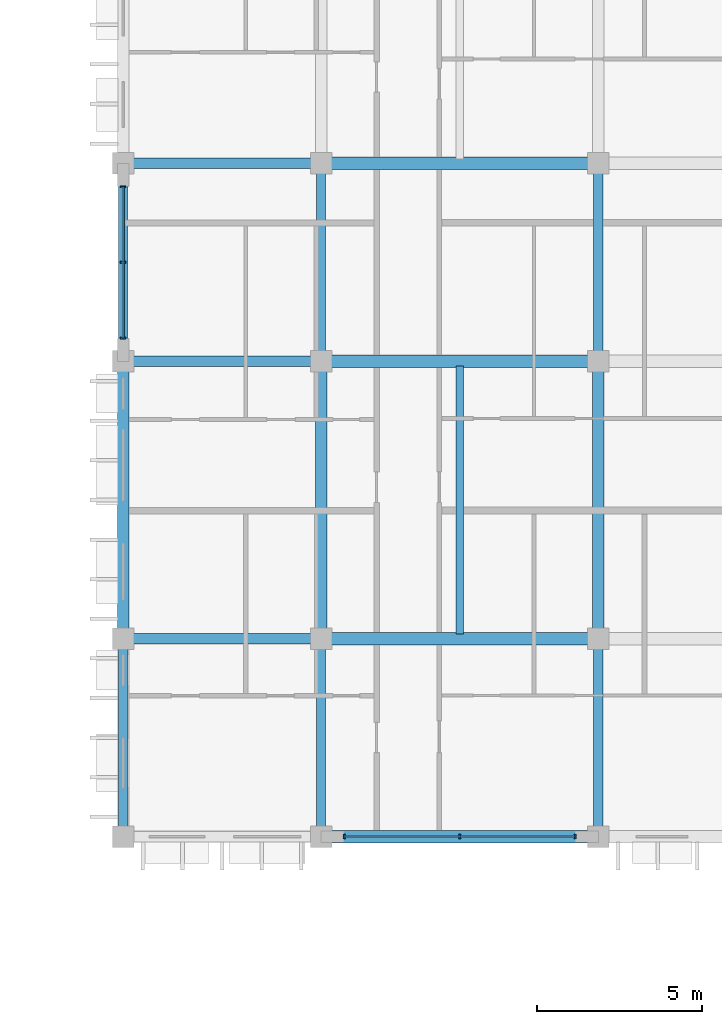
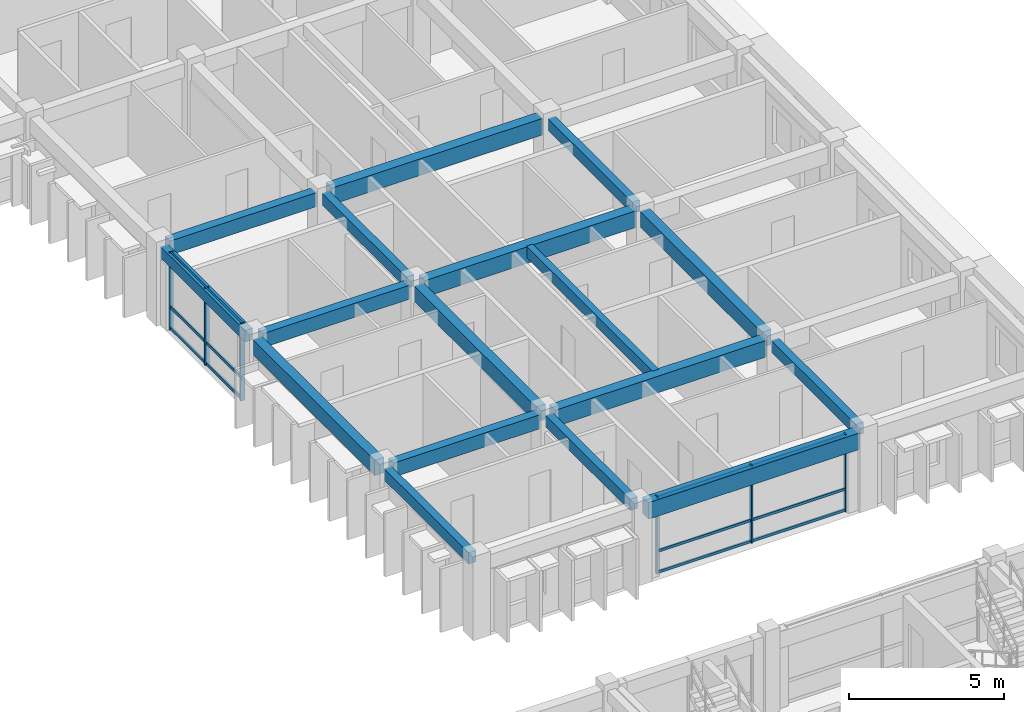
# One storey, part 18 of 79: 17 beams, 12 members, 2 elements without a shape of their own.
"""IFC4 building model written with IfcOpenShell, lengths in metres."""

from ifc_helpers import new_model, si_unit, direction, frame, origin, origin_2d, place, context, subcontext, project, spatial, rectangle, extrude, material, material_profile, profile_set, type_object, element, aggregate, save


model = new_model("IFC4")

# Units and contexts
model_context = context("Model", 3, precision=1e-05, world=origin(), true_north=direction((0.0, 1.0)))
body_context = subcontext(model_context, "Body", "Model", "MODEL_VIEW")
ifc_project = project(units=[si_unit("LENGTHUNIT", "METRE"), si_unit("AREAUNIT", "SQUARE_METRE"), si_unit("VOLUMEUNIT", "CUBIC_METRE"), si_unit("PLANEANGLEUNIT", "RADIAN"), si_unit("MASSUNIT", "GRAM", prefix="KILO"), si_unit("THERMODYNAMICTEMPERATUREUNIT", "KELVIN")], contexts=[model_context])

# Site, building, storey
site_placement = place(None, origin())
site = spatial("IfcSite", under=ifc_project, at=site_placement, CompositionType="ELEMENT")
building_placement = place(site_placement, origin())
building = spatial("IfcBuilding", under=site, at=building_placement, Name="Thalorik Housing Commons", CompositionType="ELEMENT")
storey_placement = place(building_placement, frame((0.0, 0.0, 11.39990234375)))
storey = spatial("IfcBuildingStorey", under=building, at=storey_placement, Name="L03", CompositionType="ELEMENT", Elevation=11.39990234375)

# Curtain wall, members
ifc_material_1 = material(Name="Anodised aluminium and solar-control low-E glass", Category="aluminium")
curtain_wall_type = type_object("IfcCurtainWallType", Name="ARC-CW-LOUNGE", PredefinedType="USERDEFINED", material=ifc_material_1)
curtain_wall_1_placement = place(storey_placement, origin())
curtain_wall_1 = element("IfcCurtainWall", 1, at=curtain_wall_1_placement, inside=storey, type_object=curtain_wall_type, Name="L03 Curtain Wall CW-RES-L03-B-087", ObjectType="CURTAIN WALL", PredefinedType="USERDEFINED")
ifc_material_2 = material(Name="Anodised aluminium 6063-T6", Category="aluminium")
ifc_material_profile_1 = material_profile(ifc_material_2, rectangle(XDim=0.054931640625, YDim=0.139892578125, at=origin_2d()), Name="ALU MUL 55x140", Category="aluminium")
ifc_profile_set_1 = profile_set([ifc_material_profile_1], Name="Anodised aluminium 6063-T6")
member_type_1 = type_object("IfcMemberType", Name="ARC-CW-MUL-55x140", PredefinedType="MULLION", material=ifc_profile_set_1)
member_1_placement = place(storey_placement, frame((159.10009765625, 80.39990234375, 0.0), z_axis=(0.0, 0.0, 1.0), x_axis=(1.0, 0.0, 0.0)))
member_1 = element("IfcMember", 2, at=member_1_placement, type_object=member_type_1, Name="CW-RES-L03-B-087 Mullion 1", PredefinedType="MULLION", context=body_context, shape_type="SweptSolid", body=[
    extrude(rectangle(XDim=0.054931640625, YDim=0.139892578125, at=origin_2d()), origin(), (0.0, 0.0, 1.0), 3.0400390625),
])
member_2_placement = place(storey_placement, frame((162.60009765625, 80.39990234375, 0.0), z_axis=(0.0, 0.0, 1.0), x_axis=(1.0, 0.0, 0.0)))
member_2 = element("IfcMember", 3, at=member_2_placement, type_object=member_type_1, Name="CW-RES-L03-B-087 Mullion 2", PredefinedType="MULLION", context=body_context, shape_type="SweptSolid", body=[
    extrude(rectangle(XDim=0.054931640625, YDim=0.139892578125, at=origin_2d()), origin(), (0.0, 0.0, 1.0), 3.0400390625),
])
member_3_placement = place(storey_placement, frame((166.10009765625, 80.39990234375, 0.0), z_axis=(0.0, 0.0, 1.0), x_axis=(1.0, 0.0, 0.0)))
member_3 = element("IfcMember", 4, at=member_3_placement, type_object=member_type_1, Name="CW-RES-L03-B-087 Mullion 3", PredefinedType="MULLION", context=body_context, shape_type="SweptSolid", body=[
    extrude(rectangle(XDim=0.054931640625, YDim=0.139892578125, at=origin_2d()), origin(), (0.0, 0.0, 1.0), 3.0400390625),
])

curtain_wall_2_placement = place(storey_placement, origin())
curtain_wall_2 = element("IfcCurtainWall", 5, at=curtain_wall_2_placement, inside=storey, type_object=curtain_wall_type, Name="L03 Curtain Wall CW-RES-L03-B-086", ObjectType="CURTAIN WALL", PredefinedType="USERDEFINED")
ifc_material_profile_2 = material_profile(ifc_material_2, rectangle(XDim=0.06005859375, YDim=0.159912109375, at=origin_2d()), Name="ALU MUL 60x160", Category="aluminium")
ifc_profile_set_2 = profile_set([ifc_material_profile_2], Name="Anodised aluminium 6063-T6")
member_type_2 = type_object("IfcMemberType", Name="ARC-CW-MUL-60x160", PredefinedType="MULLION", material=ifc_profile_set_2)
member_4_placement = place(storey_placement, frame((152.39990234375, 100.10009765625, 0.0), z_axis=(0.0, 0.0, 1.0), x_axis=(0.0, -1.0, 0.0)))
member_4 = element("IfcMember", 6, at=member_4_placement, type_object=member_type_2, Name="CW-RES-L03-B-086 Mullion 1", PredefinedType="MULLION", context=body_context, shape_type="SweptSolid", body=[
    extrude(rectangle(XDim=0.06005859375, YDim=0.159912109375, at=origin_2d()), origin(), (0.0, 0.0, 1.0), 3.0400390625),
])
member_5_placement = place(storey_placement, frame((152.39990234375, 97.800048828125, 0.0), z_axis=(0.0, 0.0, 1.0), x_axis=(0.0, -1.0, 0.0)))
member_5 = element("IfcMember", 7, at=member_5_placement, type_object=member_type_2, Name="CW-RES-L03-B-086 Mullion 2", PredefinedType="MULLION", context=body_context, shape_type="SweptSolid", body=[
    extrude(rectangle(XDim=0.06005859375, YDim=0.159912109375, at=origin_2d()), origin(), (0.0, 0.0, 1.0), 3.0400390625),
])
member_6_placement = place(storey_placement, frame((152.39990234375, 95.5, 0.0), z_axis=(0.0, 0.0, 1.0), x_axis=(0.0, -1.0, 0.0)))
member_6 = element("IfcMember", 8, at=member_6_placement, type_object=member_type_2, Name="CW-RES-L03-B-086 Mullion 3", PredefinedType="MULLION", context=body_context, shape_type="SweptSolid", body=[
    extrude(rectangle(XDim=0.06005859375, YDim=0.159912109375, at=origin_2d()), origin(), (0.0, 0.0, 1.0), 3.0400390625),
])

# Member
ifc_material_profile_3 = material_profile(ifc_material_2, rectangle(XDim=0.054931640625, YDim=0.10498046875, at=origin_2d()), Name="ALU TRN 55x105", Category="aluminium")
ifc_profile_set_3 = profile_set([ifc_material_profile_3], Name="Anodised aluminium 6063-T6")
member_type_3 = type_object("IfcMemberType", Name="ARC-CW-TRN-55x105", PredefinedType="USERDEFINED", material=ifc_profile_set_3)
member_7_placement = place(storey_placement, frame((159.10009765625, 80.39990234375, 0.05517578125), z_axis=(1.0, 0.0, 0.0), x_axis=(0.0, 1.0, 0.0)))
member_7 = element("IfcMember", 9, at=member_7_placement, type_object=member_type_3, Name="CW-RES-L03-B-087 Transom 1", ObjectType="TRANSOM", PredefinedType="USERDEFINED", context=body_context, shape_type="SweptSolid", body=[
    extrude(rectangle(XDim=0.054931640625, YDim=0.10498046875, at=origin_2d()), origin(), (0.0, 0.0, 1.0), 7.0),
])

member_8_placement = place(storey_placement, frame((159.10009765625, 80.39990234375, 0.880126953125), z_axis=(1.0, 0.0, 0.0), x_axis=(0.0, 1.0, 0.0)))
member_8 = element("IfcMember", 10, at=member_8_placement, type_object=member_type_3, Name="CW-RES-L03-B-087 Transom 2", ObjectType="TRANSOM", PredefinedType="USERDEFINED", context=body_context, shape_type="SweptSolid", body=[
    extrude(rectangle(XDim=0.054931640625, YDim=0.10498046875, at=origin_2d()), origin(), (0.0, 0.0, 1.0), 7.0),
])

member_9_placement = place(storey_placement, frame((159.10009765625, 80.39990234375, 2.985107421875), z_axis=(1.0, 0.0, 0.0), x_axis=(0.0, 1.0, 0.0)))
member_9 = element("IfcMember", 11, at=member_9_placement, type_object=member_type_3, Name="CW-RES-L03-B-087 Transom 3", ObjectType="TRANSOM", PredefinedType="USERDEFINED", context=body_context, shape_type="SweptSolid", body=[
    extrude(rectangle(XDim=0.054931640625, YDim=0.10498046875, at=origin_2d()), origin(), (0.0, 0.0, 1.0), 7.0),
])

aggregate(curtain_wall_1, [member_1, member_2, member_3, member_7, member_8, member_9])

ifc_material_profile_4 = material_profile(ifc_material_2, rectangle(XDim=0.06005859375, YDim=0.1201171875, at=origin_2d()), Name="ALU TRN 60x120", Category="aluminium")
ifc_profile_set_4 = profile_set([ifc_material_profile_4], Name="Anodised aluminium 6063-T6")
member_type_4 = type_object("IfcMemberType", Name="ARC-CW-TRN-60x120", PredefinedType="USERDEFINED", material=ifc_profile_set_4)
member_10_placement = place(storey_placement, frame((152.39990234375, 100.10009765625, 0.05517578125), z_axis=(0.0, -1.0, 0.0), x_axis=(1.0, 0.0, 0.0)))
member_10 = element("IfcMember", 12, at=member_10_placement, type_object=member_type_4, Name="CW-RES-L03-B-086 Transom 1", ObjectType="TRANSOM", PredefinedType="USERDEFINED", context=body_context, shape_type="SweptSolid", body=[
    extrude(rectangle(XDim=0.06005859375, YDim=0.1201171875, at=origin_2d()), origin(), (0.0, 0.0, 1.0), 4.60009765625),
])

member_11_placement = place(storey_placement, frame((152.39990234375, 100.10009765625, 0.880126953125), z_axis=(0.0, -1.0, 0.0), x_axis=(1.0, 0.0, 0.0)))
member_11 = element("IfcMember", 13, at=member_11_placement, type_object=member_type_4, Name="CW-RES-L03-B-086 Transom 2", ObjectType="TRANSOM", PredefinedType="USERDEFINED", context=body_context, shape_type="SweptSolid", body=[
    extrude(rectangle(XDim=0.06005859375, YDim=0.1201171875, at=origin_2d()), origin(), (0.0, 0.0, 1.0), 4.60009765625),
])

member_12_placement = place(storey_placement, frame((152.39990234375, 100.10009765625, 2.985107421875), z_axis=(0.0, -1.0, 0.0), x_axis=(1.0, 0.0, 0.0)))
member_12 = element("IfcMember", 14, at=member_12_placement, type_object=member_type_4, Name="CW-RES-L03-B-086 Transom 3", ObjectType="TRANSOM", PredefinedType="USERDEFINED", context=body_context, shape_type="SweptSolid", body=[
    extrude(rectangle(XDim=0.06005859375, YDim=0.1201171875, at=origin_2d()), origin(), (0.0, 0.0, 1.0), 4.60009765625),
])

aggregate(curtain_wall_2, [member_4, member_5, member_6, member_10, member_11, member_12])

# Beams
ifc_material_3 = material(Name="Precast concrete C40/50", Category="concrete")
ifc_material_profile_5 = material_profile(ifc_material_3, rectangle(XDim=0.280029296875, YDim=0.449951171875, at=origin_2d()), Name="PC 280x450", Category="concrete")
ifc_profile_set_5 = profile_set([ifc_material_profile_5], Name="Precast concrete C40/50")
beam_type_1 = type_object("IfcBeamType", Name="STR-BM-PC280x450", PredefinedType="BEAM", material=ifc_profile_set_5)
for number, where, z_axis, x_axis, name in (
    (15, (152.39990234375, 80.675048828125, 2.815185546875), (0.0, 1.0, 0.0), (-1.0, 0.0, 0.0), "L03 Beam B-450"),
    (16, (152.39990234375, 95.074951171875, 2.815185546875), (0.0, 1.0, 0.0), (-1.0, 0.0, 0.0), "L03 Beam B-450"),
    (17, (158.39990234375, 80.675048828125, 2.815185546875), (0.0, 1.0, 0.0), (-1.0, 0.0, 0.0), "L03 Beam B-450"),
    (18, (158.39990234375, 95.074951171875, 2.815185546875), (0.0, 1.0, 0.0), (-1.0, 0.0, 0.0), "L03 Beam B-450"),
    (19, (166.800048828125, 80.675048828125, 2.815185546875), (0.0, 1.0, 0.0), (-1.0, 0.0, 0.0), "L03 Beam B-450"),
    (20, (166.800048828125, 95.074951171875, 2.815185546875), (0.0, 1.0, 0.0), (-1.0, 0.0, 0.0), "L03 Beam B-450"),
):
    element("IfcBeam", number, at=place(storey_placement, frame(where, z_axis=z_axis, x_axis=x_axis)), inside=storey, type_object=beam_type_1, Name=name, PredefinedType="BEAM", context=body_context, shape_type="SweptSolid", body=[
        extrude(rectangle(XDim=0.280029296875, YDim=0.449951171875, at=origin_2d()), origin(), (0.0, 0.0, 1.0), 5.449951171875),
    ])
ifc_material_profile_6 = material_profile(ifc_material_3, rectangle(XDim=0.320068359375, YDim=0.550048828125, at=origin_2d()), Name="PC 320x550", Category="concrete")
ifc_profile_set_6 = profile_set([ifc_material_profile_6], Name="Precast concrete C40/50")
beam_type_2 = type_object("IfcBeamType", Name="STR-BM-PC320x550", PredefinedType="BEAM", material=ifc_profile_set_6)
for number, where, z_axis, x_axis, name in (
    (21, (152.675048828125, 86.39990234375, 2.76513671875), (1.0, 0.0, 0.0), (0.0, 1.0, 0.0), "L03 Beam B-550"),
    (22, (152.675048828125, 94.800048828125, 2.76513671875), (1.0, 0.0, 0.0), (0.0, 1.0, 0.0), "L03 Beam B-550"),
    (23, (152.675048828125, 100.800048828125, 2.76513671875), (1.0, 0.0, 0.0), (0.0, 1.0, 0.0), "L03 Beam B-550"),
):
    element("IfcBeam", number, at=place(storey_placement, frame(where, z_axis=z_axis, x_axis=x_axis)), inside=storey, type_object=beam_type_2, Name=name, PredefinedType="BEAM", context=body_context, shape_type="SweptSolid", body=[
        extrude(rectangle(XDim=0.320068359375, YDim=0.550048828125, at=origin_2d()), origin(), (0.0, 0.0, 1.0), 5.449951171875),
    ])
ifc_material_profile_7 = material_profile(ifc_material_3, rectangle(XDim=0.35009765625, YDim=0.60009765625, at=origin_2d()), Name="PC 350x600", Category="concrete")
ifc_profile_set_7 = profile_set([ifc_material_profile_7], Name="Precast concrete C40/50")
beam_type_3 = type_object("IfcBeamType", Name="STR-BM-PC350x600", PredefinedType="BEAM", material=ifc_profile_set_7)
for number, where, z_axis, x_axis, name in (
    (24, (152.39990234375, 86.675048828125, 2.739990234375), (0.0, 1.0, 0.0), (-1.0, 0.0, 0.0), "L03 Beam B-600"),
    (25, (158.39990234375, 86.675048828125, 2.739990234375), (0.0, 1.0, 0.0), (-1.0, 0.0, 0.0), "L03 Beam B-600"),
    (26, (166.800048828125, 86.675048828125, 2.739990234375), (0.0, 1.0, 0.0), (-1.0, 0.0, 0.0), "L03 Beam B-600"),
):
    element("IfcBeam", number, at=place(storey_placement, frame(where, z_axis=z_axis, x_axis=x_axis)), inside=storey, type_object=beam_type_3, Name=name, PredefinedType="BEAM", context=body_context, shape_type="SweptSolid", body=[
        extrude(rectangle(XDim=0.35009765625, YDim=0.60009765625, at=origin_2d()), origin(), (0.0, 0.0, 1.0), 7.849853515625),
    ])
ifc_material_profile_8 = material_profile(ifc_material_3, rectangle(XDim=0.3798828125, YDim=0.64990234375, at=origin_2d()), Name="PC 380x650", Category="concrete")
ifc_profile_set_8 = profile_set([ifc_material_profile_8], Name="Precast concrete C40/50")
beam_type_4 = type_object("IfcBeamType", Name="STR-BM-PC380x650", PredefinedType="BEAM", material=ifc_profile_set_8)
for number, where, z_axis, x_axis, name in (
    (27, (158.675048828125, 80.39990234375, 2.715087890625), (1.0, 0.0, 0.0), (0.0, 1.0, 0.0), "L03 Beam B-650"),
    (28, (158.675048828125, 86.39990234375, 2.715087890625), (1.0, 0.0, 0.0), (0.0, 1.0, 0.0), "L03 Beam B-650"),
    (29, (158.675048828125, 94.800048828125, 2.715087890625), (1.0, 0.0, 0.0), (0.0, 1.0, 0.0), "L03 Beam B-650"),
    (30, (158.675048828125, 100.800048828125, 2.715087890625), (1.0, 0.0, 0.0), (0.0, 1.0, 0.0), "L03 Beam B-650"),
):
    element("IfcBeam", number, at=place(storey_placement, frame(where, z_axis=z_axis, x_axis=x_axis)), inside=storey, type_object=beam_type_4, Name=name, PredefinedType="BEAM", context=body_context, shape_type="SweptSolid", body=[
        extrude(rectangle(XDim=0.3798828125, YDim=0.64990234375, at=origin_2d()), origin(), (0.0, 0.0, 1.0), 7.849853515625),
    ])
ifc_material_profile_9 = material_profile(ifc_material_3, rectangle(XDim=0.239990234375, YDim=0.43994140625, at=origin_2d()), Name="PC JST 240x440", Category="concrete")
ifc_profile_set_9 = profile_set([ifc_material_profile_9], Name="Precast concrete C40/50")
beam_type_5 = type_object("IfcBeamType", Name="STR-JST-PC240x440", PredefinedType="JOIST", material=ifc_profile_set_9)
beam_placement = place(storey_placement, frame((162.60009765625, 86.5400390625, 2.820068359375), z_axis=(0.0, 1.0, 0.0), x_axis=(-1.0, 0.0, 0.0)))
element("IfcBeam", 31, at=beam_placement, inside=storey, type_object=beam_type_5, Name="L03 Beam J-440", PredefinedType="JOIST", context=body_context, shape_type="SweptSolid", body=[
    extrude(rectangle(XDim=0.239990234375, YDim=0.43994140625, at=origin_2d()), origin(), (0.0, 0.0, 1.0), 8.119873046875),
])

save(model, "model.ifc")
